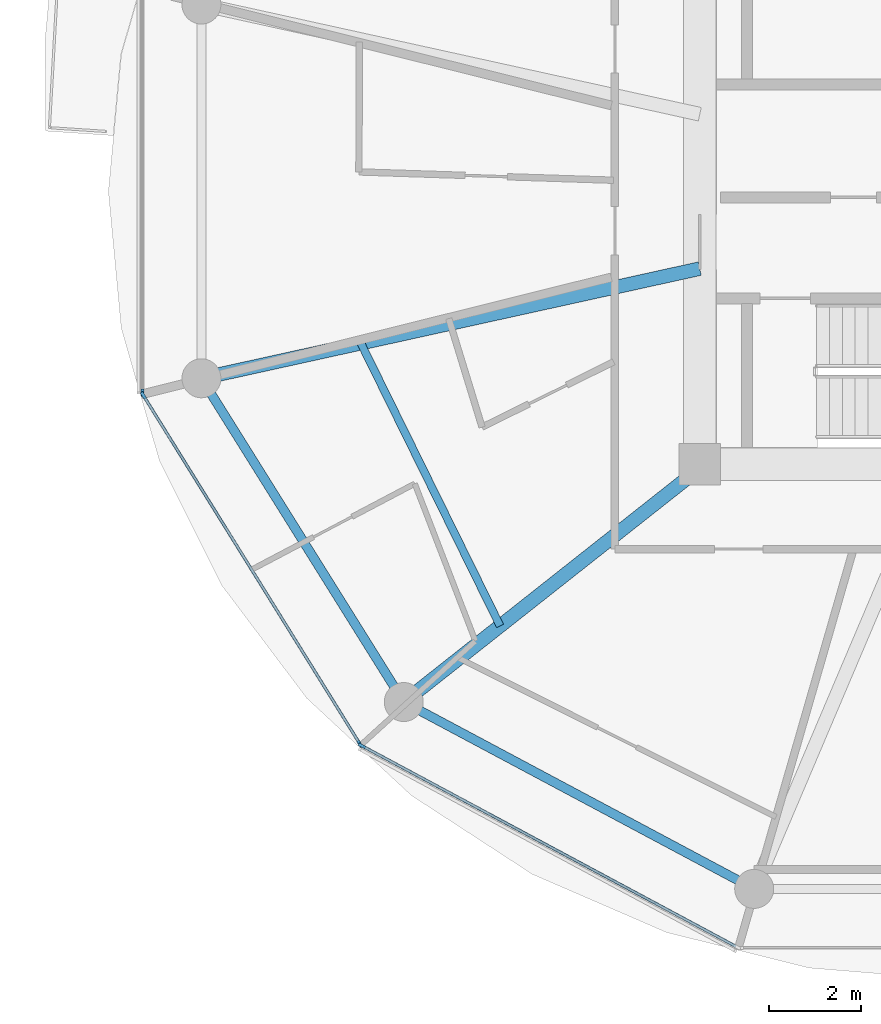
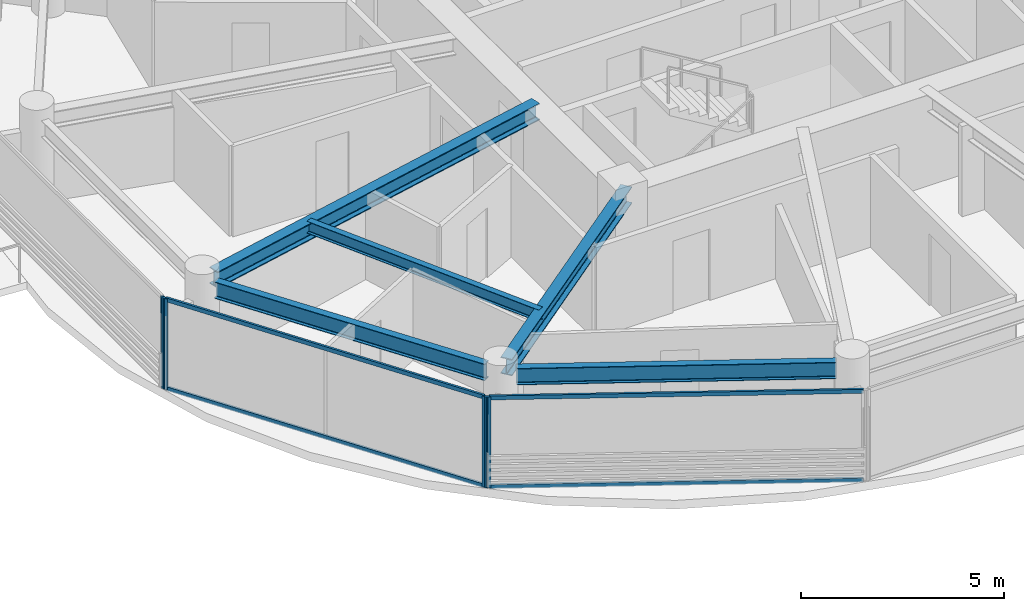
# One storey, part 6 of 22: 8 members, 5 beams, 3 elements without a shape of their own.
"""IFC4 building model written with IfcOpenShell, lengths in metres."""

from ifc_helpers import new_model, si_unit, direction, frame, origin, origin_2d, place, context, subcontext, project, spatial, rectangle, i_section, extrude, source, transform, mapped, material, layer, layer_set, material_profile, profile_set, type_object, type_shapes, element, aggregate, save


model = new_model("IFC4")

# Units and contexts
model_context = context("Model", 3, precision=1e-05, world=origin(), true_north=direction((0.0, 1.0)))
body_context = subcontext(model_context, "Body", "Model", "MODEL_VIEW")
ifc_project = project(units=[si_unit("LENGTHUNIT", "METRE"), si_unit("AREAUNIT", "SQUARE_METRE"), si_unit("VOLUMEUNIT", "CUBIC_METRE"), si_unit("PLANEANGLEUNIT", "RADIAN"), si_unit("MASSUNIT", "GRAM", prefix="KILO")], contexts=[model_context])

# Site, building, storey
site_placement = place(None, origin())
site = spatial("IfcSite", under=ifc_project, at=site_placement, CompositionType="ELEMENT")
building_placement = place(site_placement, origin())
building = spatial("IfcBuilding", under=site, at=building_placement, Name="Norrkilde Senior Care Towers", CompositionType="ELEMENT")
storey_placement = place(building_placement, frame((0.0, 0.0, 126.75)))
storey = spatial("IfcBuildingStorey", under=building, at=storey_placement, Name="L39", CompositionType="ELEMENT", Elevation=126.75)

# Beams
ifc_material_1 = material(Name="Steel S355", Category="steel")
ifc_material_profile_1 = material_profile(ifc_material_1, i_section(OverallWidth=0.199951171875, OverallDepth=0.5, WebThickness=0.01025390625, FlangeThickness=0.01611328125, FilletRadius=0.02099609375, at=origin_2d()), Name="IPE 500")
ifc_profile_set_1 = profile_set([ifc_material_profile_1], Name="Steel S355")
beam_type_1 = type_object("IfcBeamType", Name="Perimeter Ring Spandrel Z2 IPE500", PredefinedType="SPANDREL", material=ifc_profile_set_1)
shared_shape_1 = source(origin(), body_context, "Body", "SweptSolid", [
    extrude(i_section(OverallWidth=0.199951171875, OverallDepth=0.5, WebThickness=0.01025390625, FlangeThickness=0.01611328125, FilletRadius=0.02099609375, at=origin_2d()), origin(), (0.0, 0.0, 1.0), 7.55615234375),
])
beam_1_placement = place(storey_placement, frame((9.68505859375, -4.40283203125, 2.47998046875), z_axis=(0.529981514254, -0.848009194849, 0.0), x_axis=(0.848009194849, 0.529981514254, 0.0)))
element("IfcBeam", 1, at=beam_1_placement, inside=storey, type_object=beam_type_1, Name="L39 Drum E Perimeter Spandrel 07", PredefinedType="SPANDREL", context=body_context, shape_type="MappedRepresentation", body=[
    mapped(shared_shape_1, transform((0.0, 0.0, 0.0), x_axis=(1.0, 0.0, 0.0), y_axis=(0.0, 1.0, 0.0), z_axis=(0.0, 0.0, 1.0), scale=1.0)),
])
ifc_material_profile_2 = material_profile(ifc_material_1, i_section(OverallWidth=0.300048828125, OverallDepth=0.5, WebThickness=0.014404296875, FlangeThickness=0.028076171875, FilletRadius=0.027099609375, at=origin_2d()), Name="HEB 500")
ifc_profile_set_2 = profile_set([ifc_material_profile_2], Name="Steel S355")
beam_type_2 = type_object("IfcBeamType", Name="Radial Floor Beam Z2 HEB500", PredefinedType="BEAM", material=ifc_profile_set_2)
shared_shape_2 = source(origin(), body_context, "Body", "SweptSolid", [
    extrude(i_section(OverallWidth=0.300048828125, OverallDepth=0.5, WebThickness=0.014404296875, FlangeThickness=0.028076171875, FilletRadius=0.027099609375, at=origin_2d()), origin(), (0.0, 0.0, 1.0), 10.744384765625),
])
beam_2_placement = place(storey_placement, frame((20.35009765625, -1.683837890625, 2.47998046875), z_axis=(-0.976618711422, -0.214978818724, 0.0), x_axis=(0.214978818724, -0.976618711422, 0.0)))
element("IfcBeam", 2, at=beam_2_placement, inside=storey, type_object=beam_type_2, Name="L39 Drum E Radial Floor Beam 07", PredefinedType="BEAM", context=body_context, shape_type="MappedRepresentation", body=[
    mapped(shared_shape_2, transform((0.0, 0.0, 0.0), x_axis=(1.0, 0.0, 0.0), y_axis=(0.0, 1.0, 0.0), z_axis=(0.0, 0.0, 1.0), scale=1.0)),
])
shared_shape_3 = source(origin(), body_context, "Body", "SweptSolid", [
    extrude(i_section(OverallWidth=0.199951171875, OverallDepth=0.5, WebThickness=0.01025390625, FlangeThickness=0.01611328125, FilletRadius=0.02099609375, at=origin_2d()), origin(), (0.0, 0.0, 1.0), 7.892333984375),
])
type_shapes(beam_type_1, [shared_shape_1, shared_shape_3])
beam_3_placement = place(storey_placement, frame((14.233642578125, -11.318115234375, 2.47998046875), z_axis=(0.882350372282, -0.47059305194, 0.0), x_axis=(0.47059305194, 0.882350372282, 0.0)))
element("IfcBeam", 3, at=beam_3_placement, inside=storey, type_object=beam_type_1, Name="L39 Drum E Perimeter Spandrel 08", PredefinedType="SPANDREL", context=body_context, shape_type="MappedRepresentation", body=[
    mapped(shared_shape_3, transform((0.0, 0.0, 0.0), x_axis=(1.0, 0.0, 0.0), y_axis=(0.0, 1.0, 0.0), z_axis=(0.0, 0.0, 1.0), scale=1.0)),
])
shared_shape_4 = source(origin(), body_context, "Body", "SweptSolid", [
    extrude(i_section(OverallWidth=0.300048828125, OverallDepth=0.5, WebThickness=0.014404296875, FlangeThickness=0.028076171875, FilletRadius=0.027099609375, at=origin_2d()), origin(), (0.0, 0.0, 1.0), 7.985595703125),
])
type_shapes(beam_type_2, [shared_shape_2, shared_shape_4])
beam_4_placement = place(storey_placement, frame((20.463623046875, -5.949951171875, 2.47998046875), z_axis=(-0.784858505144, -0.619675017169, 0.0), x_axis=(0.619675017169, -0.784858505144, 0.0)))
element("IfcBeam", 4, at=beam_4_placement, inside=storey, type_object=beam_type_2, Name="L39 Drum E Radial Floor Beam 08", PredefinedType="BEAM", context=body_context, shape_type="MappedRepresentation", body=[
    mapped(shared_shape_4, transform((0.0, 0.0, 0.0), x_axis=(1.0, 0.0, 0.0), y_axis=(0.0, 1.0, 0.0), z_axis=(0.0, 0.0, 1.0), scale=1.0)),
])
ifc_material_profile_3 = material_profile(ifc_material_1, i_section(OverallWidth=0.169921875, OverallDepth=0.360107421875, WebThickness=0.008056640625, FlangeThickness=0.0126953125, FilletRadius=0.01806640625, at=origin_2d()), Name="IPE 360")
ifc_profile_set_3 = profile_set([ifc_material_profile_3], Name="Steel S355")
beam_type_3 = type_object("IfcBeamType", Name="Secondary Floor Joist IPE360", PredefinedType="JOIST", material=ifc_profile_set_3)
shared_shape_5 = source(origin(), body_context, "Body", "SweptSolid", [
    extrude(i_section(OverallWidth=0.169921875, OverallDepth=0.360107421875, WebThickness=0.008056640625, FlangeThickness=0.0126953125, FilletRadius=0.01806640625, at=origin_2d()), origin(), (0.0, 0.0, 1.0), 6.87353515625),
])
type_shapes(beam_type_3, [shared_shape_5])
beam_5_placement = place(storey_placement, frame((12.958984375, -3.310791015625, 2.550048828125), z_axis=(0.44184939592, -0.897089243791, 0.0), x_axis=(0.897089243791, 0.44184939592, 0.0)))
element("IfcBeam", 5, at=beam_5_placement, inside=storey, type_object=beam_type_3, Name="L39 Drum E Secondary Floor Joist 3", PredefinedType="JOIST", context=body_context, shape_type="MappedRepresentation", body=[
    mapped(shared_shape_5, transform((0.0, 0.0, 0.0), x_axis=(1.0, 0.0, 0.0), y_axis=(0.0, 1.0, 0.0), z_axis=(0.0, 0.0, 1.0), scale=1.0)),
])

# Curtain wall, member
ifc_material_2 = material(Name="Triple Low-E Insulated Glazing", Category="glass")
ifc_layer = layer(ifc_material_2, 0.195068359375)
ifc_layer_set = layer_set([ifc_layer], Name="Triple Low-E Insulated Glazing")
curtain_wall_type = type_object("IfcCurtainWallType", Name="CW3 Zone 2 Assisted Living Curtain Wall", PredefinedType="NOTDEFINED", material=ifc_layer_set)
curtain_wall_1_placement = place(storey_placement, origin())
curtain_wall_1 = element("IfcCurtainWall", 6, at=curtain_wall_1_placement, inside=storey, type_object=curtain_wall_type, Name="L39 Drum E Curtain Wall 05", PredefinedType="NOTDEFINED")
ifc_material_3 = material(Name="Anodised Aluminium", Category="aluminium")
ifc_material_profile_4 = material_profile(ifc_material_3, rectangle(XDim=0.06494140625, YDim=0.159912109375, at=origin_2d()), Name="ALU MULL 65x160")
ifc_profile_set_4 = profile_set([ifc_material_profile_4], Name="Anodised Aluminium")
member_type_1 = type_object("IfcMemberType", Name="Curtain Wall Mullion Z1-Z2 65x160", PredefinedType="MULLION", material=ifc_profile_set_4)
shared_shape_6 = source(origin(), body_context, "Body", "SweptSolid", [
    extrude(rectangle(XDim=0.06494140625, YDim=0.159912109375, at=origin_2d()), origin(), (0.0, 0.0, 1.0), 2.72998046875),
])
type_shapes(member_type_1, [shared_shape_6])
member_1_placement = place(storey_placement, frame((8.1962890625, -4.38818359375, 0.0), z_axis=(0.0, 0.0, 1.0), x_axis=(-1.0, 0.0, 0.0)))
member_1 = element("IfcMember", 7, at=member_1_placement, type_object=member_type_1, Name="CW-3 mullion 1", PredefinedType="MULLION", context=body_context, shape_type="MappedRepresentation", body=[
    mapped(shared_shape_6, transform((0.0, 0.0, 0.0), x_axis=(1.0, 0.0, 0.0), y_axis=(0.0, 1.0, 0.0), z_axis=(0.0, 0.0, 1.0), scale=1.0)),
])
aggregate(curtain_wall_1, [member_1])

# Curtain wall, members
curtain_wall_2_placement = place(storey_placement, origin())
curtain_wall_2 = element("IfcCurtainWall", 8, at=curtain_wall_2_placement, inside=storey, type_object=curtain_wall_type, Name="L39 Drum E Curtain Wall 06", PredefinedType="NOTDEFINED")
member_2_placement = place(storey_placement, frame((12.936279296875, -12.0498046875, 0.0), z_axis=(0.0, 0.0, 1.0), x_axis=(-0.849410171862, -0.527733228002, 0.0)))
member_2 = element("IfcMember", 9, at=member_2_placement, type_object=member_type_1, Name="CW-3 mullion 1", PredefinedType="MULLION", context=body_context, shape_type="MappedRepresentation", body=[
    mapped(shared_shape_6, transform((0.0, 0.0, 0.0), x_axis=(1.0, 0.0, 0.0), y_axis=(0.0, 1.0, 0.0), z_axis=(0.0, 0.0, 1.0), scale=1.0)),
])
member_3_placement = place(storey_placement, frame((8.21337890625, -4.4482421875, 0.0), z_axis=(0.0, 0.0, 1.0), x_axis=(-0.849410171862, -0.527733228002, 0.0)))
member_3 = element("IfcMember", 10, at=member_3_placement, type_object=member_type_1, Name="CW-3 mullion 2", PredefinedType="MULLION", context=body_context, shape_type="MappedRepresentation", body=[
    mapped(shared_shape_6, transform((0.0, 0.0, 0.0), x_axis=(1.0, 0.0, 0.0), y_axis=(0.0, 1.0, 0.0), z_axis=(0.0, 0.0, 1.0), scale=1.0)),
])

# Curtain wall, member
curtain_wall_3_placement = place(storey_placement, origin())
curtain_wall_3 = element("IfcCurtainWall", 11, at=curtain_wall_3_placement, inside=storey, type_object=curtain_wall_type, Name="L39 Drum E Curtain Wall 07", PredefinedType="NOTDEFINED")
member_4_placement = place(storey_placement, frame((12.98193359375, -12.0927734375, 0.0), z_axis=(0.0, 0.0, 1.0), x_axis=(-0.472769402511, -0.881186184668, 0.0)))
member_4 = element("IfcMember", 12, at=member_4_placement, type_object=member_type_1, Name="CW-3 mullion 2", PredefinedType="MULLION", context=body_context, shape_type="MappedRepresentation", body=[
    mapped(shared_shape_6, transform((0.0, 0.0, 0.0), x_axis=(1.0, 0.0, 0.0), y_axis=(0.0, 1.0, 0.0), z_axis=(0.0, 0.0, 1.0), scale=1.0)),
])

# Member
ifc_material_profile_5 = material_profile(ifc_material_3, rectangle(XDim=0.06005859375, YDim=0.1201171875, at=origin_2d()), Name="ALU TRAN 60x120")
ifc_profile_set_5 = profile_set([ifc_material_profile_5], Name="Anodised Aluminium")
member_type_2 = type_object("IfcMemberType", Name="Curtain Wall Transom Typical 60x120", PredefinedType="USERDEFINED", material=ifc_profile_set_5)
shared_shape_7 = source(origin(), body_context, "Body", "SweptSolid", [
    extrude(rectangle(XDim=0.06005859375, YDim=0.1201171875, at=origin_2d()), origin(), (0.0, 0.0, 1.0), 8.88427734375),
])
member_5_placement = place(storey_placement, frame((12.919189453125, -12.022216796875, 0.030029296875), z_axis=(-0.527749293309, 0.849400190377, 0.0), x_axis=(-0.849400190377, -0.527749293309, 0.0)))
member_5 = element("IfcMember", 13, at=member_5_placement, type_object=member_type_2, Name="CW-3 transom 1.1", ObjectType="TRANSOM", PredefinedType="USERDEFINED", context=body_context, shape_type="MappedRepresentation", body=[
    mapped(shared_shape_7, transform((0.0, 0.0, 0.0), x_axis=(1.0, 0.0, 0.0), y_axis=(0.0, 1.0, 0.0), z_axis=(0.0, 0.0, 1.0), scale=1.0)),
])

member_6_placement = place(storey_placement, frame((12.919189453125, -12.022216796875, 2.699951171875), z_axis=(-0.527749293309, 0.849400190377, 0.0), x_axis=(-0.849400190377, -0.527749293309, 0.0)))
member_6 = element("IfcMember", 14, at=member_6_placement, type_object=member_type_2, Name="CW-3 transom 1.2", ObjectType="TRANSOM", PredefinedType="USERDEFINED", context=body_context, shape_type="MappedRepresentation", body=[
    mapped(shared_shape_7, transform((0.0, 0.0, 0.0), x_axis=(1.0, 0.0, 0.0), y_axis=(0.0, 1.0, 0.0), z_axis=(0.0, 0.0, 1.0), scale=1.0)),
])

aggregate(curtain_wall_2, [member_2, member_3, member_5, member_6])

shared_shape_8 = source(origin(), body_context, "Body", "SweptSolid", [
    extrude(rectangle(XDim=0.06005859375, YDim=0.1201171875, at=origin_2d()), origin(), (0.0, 0.0, 1.0), 9.220458984375),
])
type_shapes(member_type_2, [shared_shape_7, shared_shape_8])
member_7_placement = place(storey_placement, frame((21.1357421875, -16.46728515625, 0.030029296875), z_axis=(-0.881188517866, 0.472765053681, 0.0), x_axis=(-0.472765053681, -0.881188517866, 0.0)))
member_7 = element("IfcMember", 15, at=member_7_placement, type_object=member_type_2, Name="CW-3 transom 1.1", ObjectType="TRANSOM", PredefinedType="USERDEFINED", context=body_context, shape_type="MappedRepresentation", body=[
    mapped(shared_shape_8, transform((0.0, 0.0, 0.0), x_axis=(1.0, 0.0, 0.0), y_axis=(0.0, 1.0, 0.0), z_axis=(0.0, 0.0, 1.0), scale=1.0)),
])

member_8_placement = place(storey_placement, frame((21.1357421875, -16.46728515625, 2.699951171875), z_axis=(-0.881188517866, 0.472765053681, 0.0), x_axis=(-0.472765053681, -0.881188517866, 0.0)))
member_8 = element("IfcMember", 16, at=member_8_placement, type_object=member_type_2, Name="CW-3 transom 1.2", ObjectType="TRANSOM", PredefinedType="USERDEFINED", context=body_context, shape_type="MappedRepresentation", body=[
    mapped(shared_shape_8, transform((0.0, 0.0, 0.0), x_axis=(1.0, 0.0, 0.0), y_axis=(0.0, 1.0, 0.0), z_axis=(0.0, 0.0, 1.0), scale=1.0)),
])

aggregate(curtain_wall_3, [member_4, member_7, member_8])

save(model, "model.ifc")
